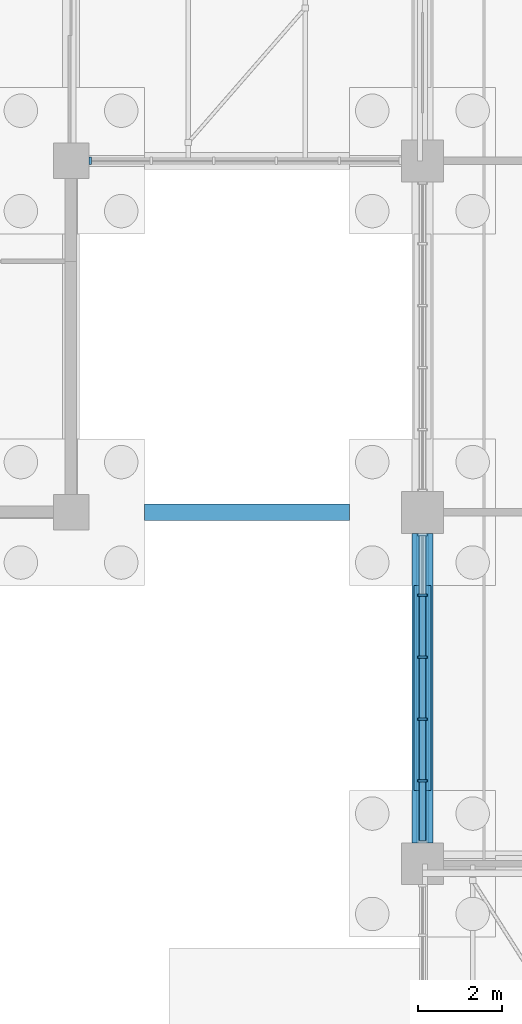
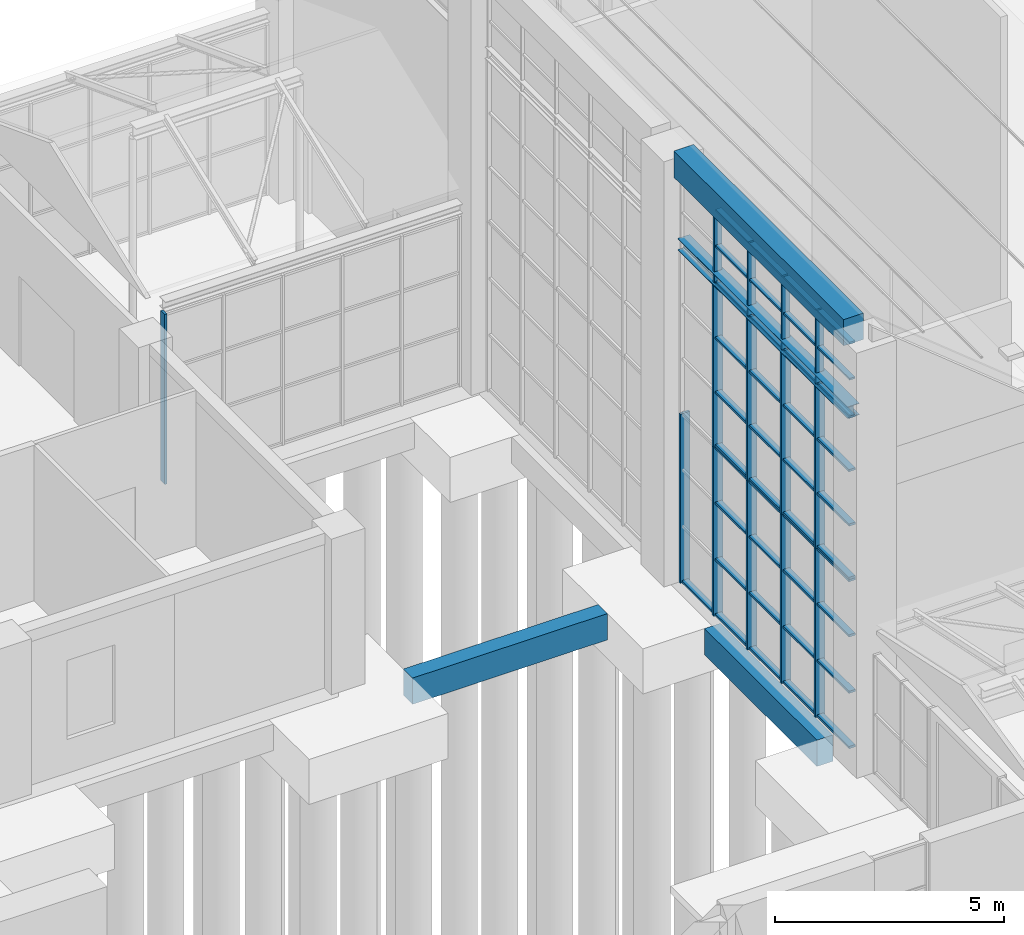
# One storey, part 49 of 138: 59 members, 4 beams, 4 elements without a shape of their own.
"""IFC4 building model written with IfcOpenShell, lengths in metres."""

import ifcopenshell
import ifcopenshell.guid

model = None  # the IFC model being written
_history = None  # IfcOwnerHistory: only IFC2X3 demands one
_inside = {}  # id of a spatial element -> (the spatial element, [elements in it])
_under = {}  # id of a project, library or spatial element -> (it, [spatial elements below it])
_declared = {}  # id of a project -> (the project, [libraries it declares])
_typed = {}  # id of a type object -> (the type object, [elements of that type])
_made_of = {}  # id of a material, layer set ... -> (it, [elements and type objects made of it])


def new_model(schema):
    """Start an empty IFC model of exactly this schema.

    Asked for "IFC4X3", IfcOpenShell would pick the latest addendum, in which some entities
    have other attributes; the version numbers below select the first issue.
    IFC2X3 requires an IfcOwnerHistory on every rooted entity: one is made here for all.
    """
    global model, _history
    if schema == "IFC4X3":
        model = ifcopenshell.file(schema_version=(4, 3, 0, 0))
    else:
        model = ifcopenshell.file(schema=schema)
    _inside.clear()
    _under.clear()
    _declared.clear()
    _typed.clear()
    _made_of.clear()
    _history = None
    if model.schema == "IFC2X3":
        org = make("IfcOrganization", Name="unknown")
        user = make(
            "IfcPersonAndOrganization",
            ThePerson=make("IfcPerson", FamilyName="unknown"),
            TheOrganization=org,
        )
        app = make(
            "IfcApplication",
            ApplicationDeveloper=org,
            Version="unknown",
            ApplicationFullName="unknown",
            ApplicationIdentifier="unknown",
        )
        _history = make(
            "IfcOwnerHistory",
            OwningUser=user,
            OwningApplication=app,
            ChangeAction="ADDED",
            CreationDate=0,
        )
    return model


def make(cls, **values):
    """One entity of the class cls with the attributes given. An attribute that is None is left unset."""
    return model.create_entity(
        cls, **{name: value for name, value in values.items() if value is not None}
    )


def rooted(cls, **values):
    """An entity with a GlobalId (a new one), such as an element, a storey or a relation."""
    return make(cls, GlobalId=ifcopenshell.guid.new(), OwnerHistory=_history, **values)


def si_unit(unit_type, name, prefix=None):
    """IfcSIUnit, for example si_unit("LENGTHUNIT", "METRE", prefix="MILLI")."""
    return make("IfcSIUnit", UnitType=unit_type, Prefix=prefix, Name=name)


def assignment(units):
    """IfcUnitAssignment: the units of a project."""
    return None if units is None else make("IfcUnitAssignment", Units=units)


def point(xyz):
    """IfcCartesianPoint."""
    return None if xyz is None else make("IfcCartesianPoint", Coordinates=xyz)


def direction(xyz):
    """IfcDirection."""
    return None if xyz is None else make("IfcDirection", DirectionRatios=xyz)


def frame(location, z_axis=None, x_axis=None):
    """IfcAxis2Placement3D, a coordinate frame: its origin and axes. An axis left out is left unset."""
    return make(
        "IfcAxis2Placement3D",
        Location=point(location),
        Axis=direction(z_axis),
        RefDirection=direction(x_axis),
    )


def frame_2d(location, x_axis=None):
    """IfcAxis2Placement2D, a coordinate frame in the plane: its origin and x axis."""
    return make(
        "IfcAxis2Placement2D", Location=point(location), RefDirection=direction(x_axis)
    )


def origin():
    """The frame at (0, 0, 0) with its axes left unset."""
    return frame((0.0, 0.0, 0.0))


def origin_2d():
    """The frame at (0, 0) in the plane with its x axis left unset."""
    return frame_2d((0.0, 0.0))


def place(relative_to, where):
    """IfcLocalPlacement: puts the frame where relative to a parent placement (None: the world)."""
    return make(
        "IfcLocalPlacement", PlacementRelTo=relative_to, RelativePlacement=where
    )


def context(
    kind, dimensions, precision=None, world=None, true_north=None, identifier=None
):
    """IfcGeometricRepresentationContext, for example the 3D "Model" context."""
    return make(
        "IfcGeometricRepresentationContext",
        ContextIdentifier=identifier,
        ContextType=kind,
        CoordinateSpaceDimension=dimensions,
        Precision=precision,
        WorldCoordinateSystem=world,
        TrueNorth=true_north,
    )


def subcontext(parent, identifier, kind, view, scale=None):
    """IfcGeometricRepresentationSubContext, for example "Body" below "Model"."""
    return make(
        "IfcGeometricRepresentationSubContext",
        ContextIdentifier=identifier,
        ContextType=kind,
        ParentContext=parent,
        TargetScale=scale,
        TargetView=view,
    )


def project(units=None, contexts=None):
    """IfcProject with its units and contexts."""
    return rooted(
        "IfcProject",
        Name="project",
        RepresentationContexts=contexts,
        UnitsInContext=assignment(units),
    )


def spatial(cls, under=None, at=None, **own):
    """A site, building, storey or space (cls), placed at a placement, below another one or the project."""
    s = rooted(cls, ObjectPlacement=at, **own)
    if under is not None:
        _under.setdefault(under.id(), (under, []))[1].append(s)
    return s


def profile(cls, at=None, kind="AREA", **sizes):
    """A parametric profile (cls). Its sizes go by their IFC names, for example OverallWidth=200.0."""
    return make(cls, ProfileType=kind, Position=at, **sizes)


def rectangle(**sizes):
    """IfcRectangleProfileDef."""
    return profile("IfcRectangleProfileDef", **sizes)


def i_section(**sizes):
    """IfcIShapeProfileDef."""
    return profile("IfcIShapeProfileDef", **sizes)


def extrude(swept, where, along, depth):
    """IfcExtrudedAreaSolid: the profile swept, set in the frame where, extruded along a direction by depth."""
    return make(
        "IfcExtrudedAreaSolid",
        SweptArea=swept,
        Position=where,
        ExtrudedDirection=direction(along),
        Depth=depth,
    )


def shape(context_of_items, identifier, shape_type, items):
    """IfcShapeRepresentation: the items that make up one representation, for example the "Body"."""
    return make(
        "IfcShapeRepresentation",
        ContextOfItems=context_of_items,
        RepresentationIdentifier=identifier,
        RepresentationType=shape_type,
        Items=items,
    )


def material(Name=None, Category=None):
    """IfcMaterial."""
    return make("IfcMaterial", Name=Name, Category=Category)


def material_profile(
    of_material, cross_section, Name=None, Category=None, Priority=None
):
    """IfcMaterialProfile: a cross section and its material."""
    return make(
        "IfcMaterialProfile",
        Name=Name,
        Material=of_material,
        Profile=cross_section,
        Priority=Priority,
        Category=Category,
    )


def profile_set(profiles, Name=None, composite=None):
    """IfcMaterialProfileSet."""
    return make(
        "IfcMaterialProfileSet",
        Name=Name,
        MaterialProfiles=profiles,
        CompositeProfile=composite,
    )


def made_of(thing, what):
    """Note that an element or type object is made of a material, layer set ...; save() writes the relation."""
    if what is not None:
        _made_of.setdefault(what.id(), (what, []))[1].append(thing)
    return thing


def type_object(cls, material=None, **own):
    """A type object (cls), such as IfcWallType, which elements share."""
    return made_of(rooted(cls, **own), material)


def element(
    cls,
    number,
    at=None,
    inside=None,
    cuts=None,
    type_object=None,
    material=None,
    context=None,
    identifier="Body",
    shape_type=None,
    held_by="IfcProductDefinitionShape",
    body=None,
    shapes=None,
    **own,
):
    """One element of the class cls, such as IfcWall. Its Tag is "e" and its number.

    at: its placement. inside: the storey or other place that contains it. cuts: it is an
    opening in that element (IfcRelVoidsElement). A single representation is given by context,
    identifier, shape_type and body (its items); several are given by shapes. held_by: the class
    of the entity that holds the representations. save() writes the other relations.
    """
    e = rooted(cls, Tag="e%d" % number, ObjectPlacement=at, **own)
    if body is not None:
        shapes = [shape(context, identifier, shape_type, body)]
    if shapes is not None:
        e.Representation = make(held_by, Representations=shapes)
    if inside is not None:
        _inside.setdefault(inside.id(), (inside, []))[1].append(e)
    if cuts is not None:
        rooted(
            "IfcRelVoidsElement", RelatingBuildingElement=cuts, RelatedOpeningElement=e
        )
    if type_object is not None:
        _typed.setdefault(type_object.id(), (type_object, []))[1].append(e)
    return made_of(e, material)


def aggregate(whole, parts):
    """IfcRelAggregates: a whole, such as a stair, and the parts it consists of."""
    return rooted("IfcRelAggregates", RelatingObject=whole, RelatedObjects=parts)


def save(model, path):
    """Write the relations noted so far, then the file.

    IfcRelAggregates (storeys below a building ...), IfcRelContainedInSpatialStructure (elements
    in a storey), IfcRelDefinesByType, IfcRelAssociatesMaterial and IfcRelDeclares: one each for
    every whole, place, type object, material and project.
    """
    for whole, parts in _under.values():
        aggregate(whole, parts)
    for where, things in _inside.values():
        rooted(
            "IfcRelContainedInSpatialStructure",
            RelatedElements=things,
            RelatingStructure=where,
        )
    for kind, things in _typed.values():
        rooted("IfcRelDefinesByType", RelatedObjects=things, RelatingType=kind)
    for what, things in _made_of.values():
        rooted("IfcRelAssociatesMaterial", RelatedObjects=things, RelatingMaterial=what)
    for by, libraries in _declared.values():
        rooted("IfcRelDeclares", RelatingContext=by, RelatedDefinitions=libraries)
    model.write(path)


model = new_model("IFC4")

# Units and contexts
model_context = context("Model", 3, precision=1e-05, world=origin(), true_north=direction((0.0, 1.0)))
body_context = subcontext(model_context, "Body", "Model", "MODEL_VIEW")
ifc_project = project(units=[si_unit("LENGTHUNIT", "METRE"), si_unit("AREAUNIT", "SQUARE_METRE"), si_unit("VOLUMEUNIT", "CUBIC_METRE"), si_unit("PLANEANGLEUNIT", "RADIAN"), si_unit("MASSUNIT", "GRAM", prefix="KILO")], contexts=[model_context])

# Site, building, storey
site_placement = place(None, origin())
site = spatial("IfcSite", under=ifc_project, at=site_placement, CompositionType="ELEMENT")
building_placement = place(site_placement, origin())
building = spatial("IfcBuilding", under=site, at=building_placement, Name="Yavir Park General Hospital", CompositionType="ELEMENT")
storey_placement = place(building_placement, origin())
storey = spatial("IfcBuildingStorey", under=building, at=storey_placement, Name="L00", CompositionType="ELEMENT", Elevation=0.0)

# Curtain wall, member
ifc_material_1 = material(Name="Aluminium curtain wall frame with insulated glazing", Category="aluminium")
curtain_wall_type_1 = type_object("IfcCurtainWallType", Name="Glazed link walls, 4525 high, 1400 module", PredefinedType="NOTDEFINED", material=ifc_material_1)
curtain_wall_1_placement = place(storey_placement, origin())
curtain_wall_1 = element("IfcCurtainWall", 1, at=curtain_wall_1_placement, inside=storey, type_object=curtain_wall_type_1, Name="CW38 L00-017", PredefinedType="NOTDEFINED")
ifc_material_2 = material(Name="Aluminium", Category="aluminium")
ifc_material_profile_1 = material_profile(ifc_material_2, rectangle(XDim=0.179931640625, YDim=0.06005859375, at=origin_2d()), Name="AL 60x180")
ifc_profile_set_1 = profile_set([ifc_material_profile_1], Name="Aluminium")
member_type_1 = type_object("IfcMemberType", Name="Glazed link walls, 4525 high mullion 60 x 180", PredefinedType="MULLION", material=ifc_profile_set_1)
member_1_placement = place(storey_placement, frame((67.655029296875, 58.800048828125, 0.0), z_axis=(0.0, 0.0, 1.0), x_axis=(0.0, 1.0, 0.0)))
member_1 = element("IfcMember", 2, at=member_1_placement, type_object=member_type_1, Name="CW38 mullion 1", PredefinedType="MULLION", context=body_context, shape_type="SweptSolid", body=[
    extrude(rectangle(XDim=0.179931640625, YDim=0.06005859375, at=origin_2d()), origin(), (0.0, 0.0, 1.0), 4.52490234375),
])
aggregate(curtain_wall_1, [member_1])

# Beam
ifc_material_3 = material(Name="Steel S355", Category="steel")
ifc_material_profile_2 = material_profile(ifc_material_3, i_section(OverallWidth=0.300048828125, OverallDepth=0.31005859375, WebThickness=0.009033203125, FlangeThickness=0.015380859375, FilletRadius=0.027099609375, at=origin_2d()), Name="HEA320")
ifc_profile_set_2 = profile_set([ifc_material_profile_2], Name="Steel S355")
beam_type_1 = type_object("IfcBeamType", Name="HEA 320 wind girder", PredefinedType="BEAM", material=ifc_profile_set_2)
beam_1_placement = place(storey_placement, frame((75.60009765625, 42.5, 9.0), z_axis=(0.0, 1.0, 0.0), x_axis=(-1.0, 0.0, 0.0)))
element("IfcBeam", 3, at=beam_1_placement, inside=storey, type_object=beam_type_1, Name="B:HALL:WIND:W0", PredefinedType="BEAM", context=body_context, shape_type="SweptSolid", body=[
    extrude(i_section(OverallWidth=0.300048828125, OverallDepth=0.31005859375, WebThickness=0.009033203125, FlangeThickness=0.015380859375, FilletRadius=0.027099609375, at=origin_2d()), origin(), (0.0, 0.0, 1.0), 7.39990234375),
])

# Curtain wall, members
ifc_material_4 = material(Name="Aluminium curtain wall frame with insulated glazing", Category="aluminium")
curtain_wall_type_2 = type_object("IfcCurtainWallType", Name="Main hall glazing, clerestory band, 1970 high, 1400 module", PredefinedType="NOTDEFINED", material=ifc_material_4)
curtain_wall_2_placement = place(storey_placement, origin())
curtain_wall_2 = element("IfcCurtainWall", 4, at=curtain_wall_2_placement, inside=storey, type_object=curtain_wall_type_2, Name="CW35 L00-052", PredefinedType="NOTDEFINED")
ifc_material_5 = material(Name="Aluminium", Category="aluminium")
ifc_material_profile_3 = material_profile(ifc_material_5, rectangle(XDim=0.199951171875, YDim=0.050048828125, at=origin_2d()), Name="AL 50x200")
ifc_profile_set_3 = profile_set([ifc_material_profile_3], Name="Aluminium")
member_type_2 = type_object("IfcMemberType", Name="Main hall glazing, clerestory band, 1970 high mullion 50 x 200", PredefinedType="MULLION", material=ifc_profile_set_3)
member_2_placement = place(storey_placement, frame((75.60009765625, 43.97998046875, 8.844970703125), z_axis=(0.0, 0.0, 1.0), x_axis=(-1.0, 0.0, 0.0)))
member_2 = element("IfcMember", 5, at=member_2_placement, type_object=member_type_2, Name="CW35 mullion 2", PredefinedType="MULLION", context=body_context, shape_type="SweptSolid", body=[
    extrude(rectangle(XDim=0.199951171875, YDim=0.050048828125, at=origin_2d()), origin(), (0.0, 0.0, 1.0), 1.969970703125),
])
member_3_placement = place(storey_placement, frame((75.60009765625, 45.4599609375, 8.844970703125), z_axis=(0.0, 0.0, 1.0), x_axis=(-1.0, 0.0, 0.0)))
member_3 = element("IfcMember", 6, at=member_3_placement, type_object=member_type_2, Name="CW35 mullion 3", PredefinedType="MULLION", context=body_context, shape_type="SweptSolid", body=[
    extrude(rectangle(XDim=0.199951171875, YDim=0.050048828125, at=origin_2d()), origin(), (0.0, 0.0, 1.0), 1.969970703125),
])
member_4_placement = place(storey_placement, frame((75.60009765625, 46.93994140625, 8.844970703125), z_axis=(0.0, 0.0, 1.0), x_axis=(-1.0, 0.0, 0.0)))
member_4 = element("IfcMember", 7, at=member_4_placement, type_object=member_type_2, Name="CW35 mullion 4", PredefinedType="MULLION", context=body_context, shape_type="SweptSolid", body=[
    extrude(rectangle(XDim=0.199951171875, YDim=0.050048828125, at=origin_2d()), origin(), (0.0, 0.0, 1.0), 1.969970703125),
])
member_5_placement = place(storey_placement, frame((75.60009765625, 48.419921875, 8.844970703125), z_axis=(0.0, 0.0, 1.0), x_axis=(-1.0, 0.0, 0.0)))
member_5 = element("IfcMember", 8, at=member_5_placement, type_object=member_type_2, Name="CW35 mullion 5", PredefinedType="MULLION", context=body_context, shape_type="SweptSolid", body=[
    extrude(rectangle(XDim=0.199951171875, YDim=0.050048828125, at=origin_2d()), origin(), (0.0, 0.0, 1.0), 1.969970703125),
])
ifc_material_6 = material(Name="Aluminium", Category="aluminium")
ifc_material_profile_4 = material_profile(ifc_material_6, rectangle(XDim=0.139892578125, YDim=0.050048828125, at=origin_2d()), Name="AL 140x50")
ifc_profile_set_4 = profile_set([ifc_material_profile_4], Name="Aluminium")
member_type_3 = type_object("IfcMemberType", Name="Main hall glazing, clerestory band, 1970 high transom 50 x 140", PredefinedType="MULLION", material=ifc_profile_set_4)
member_6_placement = place(storey_placement, frame((75.60009765625, 42.550048828125, 8.8701171875), z_axis=(0.0, 1.0, 0.0), x_axis=(-1.0, 0.0, 0.0)))
member_6 = element("IfcMember", 9, at=member_6_placement, type_object=member_type_3, Name="CW35 transom 1.1", PredefinedType="MULLION", context=body_context, shape_type="SweptSolid", body=[
    extrude(rectangle(XDim=0.139892578125, YDim=0.050048828125, at=origin_2d()), origin(), (0.0, 0.0, 1.0), 1.405029296875),
])
member_7_placement = place(storey_placement, frame((75.60009765625, 42.550048828125, 9.830078125), z_axis=(0.0, 1.0, 0.0), x_axis=(-1.0, 0.0, 0.0)))
member_7 = element("IfcMember", 10, at=member_7_placement, type_object=member_type_3, Name="CW35 transom 1.2", PredefinedType="MULLION", context=body_context, shape_type="SweptSolid", body=[
    extrude(rectangle(XDim=0.139892578125, YDim=0.050048828125, at=origin_2d()), origin(), (0.0, 0.0, 1.0), 1.405029296875),
])
member_8_placement = place(storey_placement, frame((75.60009765625, 42.550048828125, 10.7900390625), z_axis=(0.0, 1.0, 0.0), x_axis=(-1.0, 0.0, 0.0)))
member_8 = element("IfcMember", 11, at=member_8_placement, type_object=member_type_3, Name="CW35 transom 1.3", PredefinedType="MULLION", context=body_context, shape_type="SweptSolid", body=[
    extrude(rectangle(XDim=0.139892578125, YDim=0.050048828125, at=origin_2d()), origin(), (0.0, 0.0, 1.0), 1.405029296875),
])
member_9_placement = place(storey_placement, frame((75.60009765625, 44.0048828125, 8.8701171875), z_axis=(0.0, 1.0, 0.0), x_axis=(-1.0, 0.0, 0.0)))
member_9 = element("IfcMember", 12, at=member_9_placement, type_object=member_type_3, Name="CW35 transom 2.1", PredefinedType="MULLION", context=body_context, shape_type="SweptSolid", body=[
    extrude(rectangle(XDim=0.139892578125, YDim=0.050048828125, at=origin_2d()), origin(), (0.0, 0.0, 1.0), 1.43017578125),
])
member_10_placement = place(storey_placement, frame((75.60009765625, 44.0048828125, 9.830078125), z_axis=(0.0, 1.0, 0.0), x_axis=(-1.0, 0.0, 0.0)))
member_10 = element("IfcMember", 13, at=member_10_placement, type_object=member_type_3, Name="CW35 transom 2.2", PredefinedType="MULLION", context=body_context, shape_type="SweptSolid", body=[
    extrude(rectangle(XDim=0.139892578125, YDim=0.050048828125, at=origin_2d()), origin(), (0.0, 0.0, 1.0), 1.43017578125),
])
member_11_placement = place(storey_placement, frame((75.60009765625, 44.0048828125, 10.7900390625), z_axis=(0.0, 1.0, 0.0), x_axis=(-1.0, 0.0, 0.0)))
member_11 = element("IfcMember", 14, at=member_11_placement, type_object=member_type_3, Name="CW35 transom 2.3", PredefinedType="MULLION", context=body_context, shape_type="SweptSolid", body=[
    extrude(rectangle(XDim=0.139892578125, YDim=0.050048828125, at=origin_2d()), origin(), (0.0, 0.0, 1.0), 1.43017578125),
])
member_12_placement = place(storey_placement, frame((75.60009765625, 45.485107421875, 8.8701171875), z_axis=(0.0, 1.0, 0.0), x_axis=(-1.0, 0.0, 0.0)))
member_12 = element("IfcMember", 15, at=member_12_placement, type_object=member_type_3, Name="CW35 transom 3.1", PredefinedType="MULLION", context=body_context, shape_type="SweptSolid", body=[
    extrude(rectangle(XDim=0.139892578125, YDim=0.050048828125, at=origin_2d()), origin(), (0.0, 0.0, 1.0), 1.429931640625),
])
member_13_placement = place(storey_placement, frame((75.60009765625, 45.485107421875, 9.830078125), z_axis=(0.0, 1.0, 0.0), x_axis=(-1.0, 0.0, 0.0)))
member_13 = element("IfcMember", 16, at=member_13_placement, type_object=member_type_3, Name="CW35 transom 3.2", PredefinedType="MULLION", context=body_context, shape_type="SweptSolid", body=[
    extrude(rectangle(XDim=0.139892578125, YDim=0.050048828125, at=origin_2d()), origin(), (0.0, 0.0, 1.0), 1.429931640625),
])
member_14_placement = place(storey_placement, frame((75.60009765625, 45.485107421875, 10.7900390625), z_axis=(0.0, 1.0, 0.0), x_axis=(-1.0, 0.0, 0.0)))
member_14 = element("IfcMember", 17, at=member_14_placement, type_object=member_type_3, Name="CW35 transom 3.3", PredefinedType="MULLION", context=body_context, shape_type="SweptSolid", body=[
    extrude(rectangle(XDim=0.139892578125, YDim=0.050048828125, at=origin_2d()), origin(), (0.0, 0.0, 1.0), 1.429931640625),
])
member_15_placement = place(storey_placement, frame((75.60009765625, 46.965087890625, 8.8701171875), z_axis=(0.0, 1.0, 0.0), x_axis=(-1.0, 0.0, 0.0)))
member_15 = element("IfcMember", 18, at=member_15_placement, type_object=member_type_3, Name="CW35 transom 4.1", PredefinedType="MULLION", context=body_context, shape_type="SweptSolid", body=[
    extrude(rectangle(XDim=0.139892578125, YDim=0.050048828125, at=origin_2d()), origin(), (0.0, 0.0, 1.0), 1.429931640625),
])
member_16_placement = place(storey_placement, frame((75.60009765625, 46.965087890625, 9.830078125), z_axis=(0.0, 1.0, 0.0), x_axis=(-1.0, 0.0, 0.0)))
member_16 = element("IfcMember", 19, at=member_16_placement, type_object=member_type_3, Name="CW35 transom 4.2", PredefinedType="MULLION", context=body_context, shape_type="SweptSolid", body=[
    extrude(rectangle(XDim=0.139892578125, YDim=0.050048828125, at=origin_2d()), origin(), (0.0, 0.0, 1.0), 1.429931640625),
])
member_17_placement = place(storey_placement, frame((75.60009765625, 46.965087890625, 10.7900390625), z_axis=(0.0, 1.0, 0.0), x_axis=(-1.0, 0.0, 0.0)))
member_17 = element("IfcMember", 20, at=member_17_placement, type_object=member_type_3, Name="CW35 transom 4.3", PredefinedType="MULLION", context=body_context, shape_type="SweptSolid", body=[
    extrude(rectangle(XDim=0.139892578125, YDim=0.050048828125, at=origin_2d()), origin(), (0.0, 0.0, 1.0), 1.429931640625),
])
aggregate(curtain_wall_2, [member_2, member_3, member_4, member_5, member_6, member_7, member_8, member_9, member_10, member_11, member_12, member_13, member_14, member_15, member_16, member_17])

ifc_material_7 = material(Name="Aluminium curtain wall frame with insulated glazing", Category="aluminium")
curtain_wall_type_3 = type_object("IfcCurtainWallType", Name="Main hall glazing, lower band, 4500 high, 1400 module", PredefinedType="NOTDEFINED", material=ifc_material_7)
curtain_wall_3_placement = place(storey_placement, origin())
curtain_wall_3 = element("IfcCurtainWall", 21, at=curtain_wall_3_placement, inside=storey, type_object=curtain_wall_type_3, Name="CW33 L00-050", PredefinedType="NOTDEFINED")
ifc_material_8 = material(Name="Aluminium", Category="aluminium")
ifc_material_profile_5 = material_profile(ifc_material_8, rectangle(XDim=0.239990234375, YDim=0.06005859375, at=origin_2d()), Name="AL 60x240")
ifc_profile_set_5 = profile_set([ifc_material_profile_5], Name="Aluminium")
member_type_4 = type_object("IfcMemberType", Name="Main hall glazing, lower band, 4500 high mullion 60 x 240", PredefinedType="MULLION", material=ifc_profile_set_5)
member_18_placement = place(storey_placement, frame((75.60009765625, 43.97998046875, 0.0), z_axis=(0.0, 0.0, 1.0), x_axis=(-1.0, 0.0, 0.0)))
member_18 = element("IfcMember", 22, at=member_18_placement, type_object=member_type_4, Name="CW33 mullion 2", PredefinedType="MULLION", context=body_context, shape_type="SweptSolid", body=[
    extrude(rectangle(XDim=0.239990234375, YDim=0.06005859375, at=origin_2d()), origin(), (0.0, 0.0, 1.0), 4.5),
])
member_19_placement = place(storey_placement, frame((75.60009765625, 45.4599609375, 0.0), z_axis=(0.0, 0.0, 1.0), x_axis=(-1.0, 0.0, 0.0)))
member_19 = element("IfcMember", 23, at=member_19_placement, type_object=member_type_4, Name="CW33 mullion 3", PredefinedType="MULLION", context=body_context, shape_type="SweptSolid", body=[
    extrude(rectangle(XDim=0.239990234375, YDim=0.06005859375, at=origin_2d()), origin(), (0.0, 0.0, 1.0), 4.5),
])
member_20_placement = place(storey_placement, frame((75.60009765625, 46.93994140625, 0.0), z_axis=(0.0, 0.0, 1.0), x_axis=(-1.0, 0.0, 0.0)))
member_20 = element("IfcMember", 24, at=member_20_placement, type_object=member_type_4, Name="CW33 mullion 4", PredefinedType="MULLION", context=body_context, shape_type="SweptSolid", body=[
    extrude(rectangle(XDim=0.239990234375, YDim=0.06005859375, at=origin_2d()), origin(), (0.0, 0.0, 1.0), 4.5),
])
member_21_placement = place(storey_placement, frame((75.60009765625, 48.419921875, 0.0), z_axis=(0.0, 0.0, 1.0), x_axis=(-1.0, 0.0, 0.0)))
member_21 = element("IfcMember", 25, at=member_21_placement, type_object=member_type_4, Name="CW33 mullion 5", PredefinedType="MULLION", context=body_context, shape_type="SweptSolid", body=[
    extrude(rectangle(XDim=0.239990234375, YDim=0.06005859375, at=origin_2d()), origin(), (0.0, 0.0, 1.0), 4.5),
])
member_22_placement = place(storey_placement, frame((75.60009765625, 49.8701171875, 0.0), z_axis=(0.0, 0.0, 1.0), x_axis=(-1.0, 0.0, 0.0)))
member_22 = element("IfcMember", 26, at=member_22_placement, type_object=member_type_4, Name="CW33 mullion 6", PredefinedType="MULLION", context=body_context, shape_type="SweptSolid", body=[
    extrude(rectangle(XDim=0.239990234375, YDim=0.06005859375, at=origin_2d()), origin(), (0.0, 0.0, 1.0), 4.5),
])
ifc_material_9 = material(Name="Aluminium", Category="aluminium")
ifc_material_profile_6 = material_profile(ifc_material_9, rectangle(XDim=0.159912109375, YDim=0.06005859375, at=origin_2d()), Name="AL 160x60")
ifc_profile_set_6 = profile_set([ifc_material_profile_6], Name="Aluminium")
member_type_5 = type_object("IfcMemberType", Name="Main hall glazing, lower band, 4500 high transom 60 x 160", PredefinedType="MULLION", material=ifc_profile_set_6)
member_23_placement = place(storey_placement, frame((75.60009765625, 42.56005859375, 0.030029296875), z_axis=(0.0, 1.0, 0.0), x_axis=(-1.0, 0.0, 0.0)))
member_23 = element("IfcMember", 27, at=member_23_placement, type_object=member_type_5, Name="CW33 transom 1.1", PredefinedType="MULLION", context=body_context, shape_type="SweptSolid", body=[
    extrude(rectangle(XDim=0.159912109375, YDim=0.06005859375, at=origin_2d()), origin(), (0.0, 0.0, 1.0), 1.389892578125),
])
member_24_placement = place(storey_placement, frame((75.60009765625, 42.56005859375, 1.5), z_axis=(0.0, 1.0, 0.0), x_axis=(-1.0, 0.0, 0.0)))
member_24 = element("IfcMember", 28, at=member_24_placement, type_object=member_type_5, Name="CW33 transom 1.2", PredefinedType="MULLION", context=body_context, shape_type="SweptSolid", body=[
    extrude(rectangle(XDim=0.159912109375, YDim=0.06005859375, at=origin_2d()), origin(), (0.0, 0.0, 1.0), 1.389892578125),
])
member_25_placement = place(storey_placement, frame((75.60009765625, 42.56005859375, 3.0), z_axis=(0.0, 1.0, 0.0), x_axis=(-1.0, 0.0, 0.0)))
member_25 = element("IfcMember", 29, at=member_25_placement, type_object=member_type_5, Name="CW33 transom 1.3", PredefinedType="MULLION", context=body_context, shape_type="SweptSolid", body=[
    extrude(rectangle(XDim=0.159912109375, YDim=0.06005859375, at=origin_2d()), origin(), (0.0, 0.0, 1.0), 1.389892578125),
])
member_26_placement = place(storey_placement, frame((75.60009765625, 42.56005859375, 4.469970703125), z_axis=(0.0, 1.0, 0.0), x_axis=(-1.0, 0.0, 0.0)))
member_26 = element("IfcMember", 30, at=member_26_placement, type_object=member_type_5, Name="CW33 transom 1.4", PredefinedType="MULLION", context=body_context, shape_type="SweptSolid", body=[
    extrude(rectangle(XDim=0.159912109375, YDim=0.06005859375, at=origin_2d()), origin(), (0.0, 0.0, 1.0), 1.389892578125),
])
member_27_placement = place(storey_placement, frame((75.60009765625, 44.010009765625, 0.030029296875), z_axis=(0.0, 1.0, 0.0), x_axis=(-1.0, 0.0, 0.0)))
member_27 = element("IfcMember", 31, at=member_27_placement, type_object=member_type_5, Name="CW33 transom 2.1", PredefinedType="MULLION", context=body_context, shape_type="SweptSolid", body=[
    extrude(rectangle(XDim=0.159912109375, YDim=0.06005859375, at=origin_2d()), origin(), (0.0, 0.0, 1.0), 1.419921875),
])
member_28_placement = place(storey_placement, frame((75.60009765625, 44.010009765625, 1.5), z_axis=(0.0, 1.0, 0.0), x_axis=(-1.0, 0.0, 0.0)))
member_28 = element("IfcMember", 32, at=member_28_placement, type_object=member_type_5, Name="CW33 transom 2.2", PredefinedType="MULLION", context=body_context, shape_type="SweptSolid", body=[
    extrude(rectangle(XDim=0.159912109375, YDim=0.06005859375, at=origin_2d()), origin(), (0.0, 0.0, 1.0), 1.419921875),
])
member_29_placement = place(storey_placement, frame((75.60009765625, 44.010009765625, 3.0), z_axis=(0.0, 1.0, 0.0), x_axis=(-1.0, 0.0, 0.0)))
member_29 = element("IfcMember", 33, at=member_29_placement, type_object=member_type_5, Name="CW33 transom 2.3", PredefinedType="MULLION", context=body_context, shape_type="SweptSolid", body=[
    extrude(rectangle(XDim=0.159912109375, YDim=0.06005859375, at=origin_2d()), origin(), (0.0, 0.0, 1.0), 1.419921875),
])
member_30_placement = place(storey_placement, frame((75.60009765625, 44.010009765625, 4.469970703125), z_axis=(0.0, 1.0, 0.0), x_axis=(-1.0, 0.0, 0.0)))
member_30 = element("IfcMember", 34, at=member_30_placement, type_object=member_type_5, Name="CW33 transom 2.4", PredefinedType="MULLION", context=body_context, shape_type="SweptSolid", body=[
    extrude(rectangle(XDim=0.159912109375, YDim=0.06005859375, at=origin_2d()), origin(), (0.0, 0.0, 1.0), 1.419921875),
])
member_31_placement = place(storey_placement, frame((75.60009765625, 45.489990234375, 0.030029296875), z_axis=(0.0, 1.0, 0.0), x_axis=(-1.0, 0.0, 0.0)))
member_31 = element("IfcMember", 35, at=member_31_placement, type_object=member_type_5, Name="CW33 transom 3.1", PredefinedType="MULLION", context=body_context, shape_type="SweptSolid", body=[
    extrude(rectangle(XDim=0.159912109375, YDim=0.06005859375, at=origin_2d()), origin(), (0.0, 0.0, 1.0), 1.419921875),
])
member_32_placement = place(storey_placement, frame((75.60009765625, 45.489990234375, 1.5), z_axis=(0.0, 1.0, 0.0), x_axis=(-1.0, 0.0, 0.0)))
member_32 = element("IfcMember", 36, at=member_32_placement, type_object=member_type_5, Name="CW33 transom 3.2", PredefinedType="MULLION", context=body_context, shape_type="SweptSolid", body=[
    extrude(rectangle(XDim=0.159912109375, YDim=0.06005859375, at=origin_2d()), origin(), (0.0, 0.0, 1.0), 1.419921875),
])
member_33_placement = place(storey_placement, frame((75.60009765625, 45.489990234375, 3.0), z_axis=(0.0, 1.0, 0.0), x_axis=(-1.0, 0.0, 0.0)))
member_33 = element("IfcMember", 37, at=member_33_placement, type_object=member_type_5, Name="CW33 transom 3.3", PredefinedType="MULLION", context=body_context, shape_type="SweptSolid", body=[
    extrude(rectangle(XDim=0.159912109375, YDim=0.06005859375, at=origin_2d()), origin(), (0.0, 0.0, 1.0), 1.419921875),
])
member_34_placement = place(storey_placement, frame((75.60009765625, 45.489990234375, 4.469970703125), z_axis=(0.0, 1.0, 0.0), x_axis=(-1.0, 0.0, 0.0)))
member_34 = element("IfcMember", 38, at=member_34_placement, type_object=member_type_5, Name="CW33 transom 3.4", PredefinedType="MULLION", context=body_context, shape_type="SweptSolid", body=[
    extrude(rectangle(XDim=0.159912109375, YDim=0.06005859375, at=origin_2d()), origin(), (0.0, 0.0, 1.0), 1.419921875),
])
member_35_placement = place(storey_placement, frame((75.60009765625, 46.969970703125, 0.030029296875), z_axis=(0.0, 1.0, 0.0), x_axis=(-1.0, 0.0, 0.0)))
member_35 = element("IfcMember", 39, at=member_35_placement, type_object=member_type_5, Name="CW33 transom 4.1", PredefinedType="MULLION", context=body_context, shape_type="SweptSolid", body=[
    extrude(rectangle(XDim=0.159912109375, YDim=0.06005859375, at=origin_2d()), origin(), (0.0, 0.0, 1.0), 1.419921875),
])
member_36_placement = place(storey_placement, frame((75.60009765625, 46.969970703125, 1.5), z_axis=(0.0, 1.0, 0.0), x_axis=(-1.0, 0.0, 0.0)))
member_36 = element("IfcMember", 40, at=member_36_placement, type_object=member_type_5, Name="CW33 transom 4.2", PredefinedType="MULLION", context=body_context, shape_type="SweptSolid", body=[
    extrude(rectangle(XDim=0.159912109375, YDim=0.06005859375, at=origin_2d()), origin(), (0.0, 0.0, 1.0), 1.419921875),
])
member_37_placement = place(storey_placement, frame((75.60009765625, 46.969970703125, 3.0), z_axis=(0.0, 1.0, 0.0), x_axis=(-1.0, 0.0, 0.0)))
member_37 = element("IfcMember", 41, at=member_37_placement, type_object=member_type_5, Name="CW33 transom 4.3", PredefinedType="MULLION", context=body_context, shape_type="SweptSolid", body=[
    extrude(rectangle(XDim=0.159912109375, YDim=0.06005859375, at=origin_2d()), origin(), (0.0, 0.0, 1.0), 1.419921875),
])
member_38_placement = place(storey_placement, frame((75.60009765625, 46.969970703125, 4.469970703125), z_axis=(0.0, 1.0, 0.0), x_axis=(-1.0, 0.0, 0.0)))
member_38 = element("IfcMember", 42, at=member_38_placement, type_object=member_type_5, Name="CW33 transom 4.4", PredefinedType="MULLION", context=body_context, shape_type="SweptSolid", body=[
    extrude(rectangle(XDim=0.159912109375, YDim=0.06005859375, at=origin_2d()), origin(), (0.0, 0.0, 1.0), 1.419921875),
])
member_39_placement = place(storey_placement, frame((75.60009765625, 48.449951171875, 0.030029296875), z_axis=(0.0, 1.0, 0.0), x_axis=(-1.0, 0.0, 0.0)))
member_39 = element("IfcMember", 43, at=member_39_placement, type_object=member_type_5, Name="CW33 transom 5.1", PredefinedType="MULLION", context=body_context, shape_type="SweptSolid", body=[
    extrude(rectangle(XDim=0.159912109375, YDim=0.06005859375, at=origin_2d()), origin(), (0.0, 0.0, 1.0), 1.39013671875),
])
aggregate(curtain_wall_3, [member_18, member_19, member_20, member_21, member_22, member_23, member_24, member_25, member_26, member_27, member_28, member_29, member_30, member_31, member_32, member_33, member_34, member_35, member_36, member_37, member_38, member_39])

ifc_material_10 = material(Name="Aluminium curtain wall frame with insulated glazing", Category="aluminium")
curtain_wall_type_4 = type_object("IfcCurtainWallType", Name="Main hall glazing, upper band, 4345 high, 1400 module", PredefinedType="NOTDEFINED", material=ifc_material_10)
curtain_wall_4_placement = place(storey_placement, origin())
curtain_wall_4 = element("IfcCurtainWall", 44, at=curtain_wall_4_placement, inside=storey, type_object=curtain_wall_type_4, Name="CW52 L00-051", PredefinedType="NOTDEFINED")
ifc_material_11 = material(Name="Aluminium", Category="aluminium")
ifc_material_profile_7 = material_profile(ifc_material_11, rectangle(XDim=0.239990234375, YDim=0.06005859375, at=origin_2d()), Name="AL 60x240")
ifc_profile_set_7 = profile_set([ifc_material_profile_7], Name="Aluminium")
member_type_6 = type_object("IfcMemberType", Name="Main hall glazing, upper band, 4345 high mullion 60 x 240", PredefinedType="MULLION", material=ifc_profile_set_7)
member_40_placement = place(storey_placement, frame((75.60009765625, 43.97998046875, 4.5), z_axis=(0.0, 0.0, 1.0), x_axis=(-1.0, 0.0, 0.0)))
member_40 = element("IfcMember", 45, at=member_40_placement, type_object=member_type_6, Name="CW52 mullion 2", PredefinedType="MULLION", context=body_context, shape_type="SweptSolid", body=[
    extrude(rectangle(XDim=0.239990234375, YDim=0.06005859375, at=origin_2d()), origin(), (0.0, 0.0, 1.0), 4.344970703125),
])
member_41_placement = place(storey_placement, frame((75.60009765625, 45.4599609375, 4.5), z_axis=(0.0, 0.0, 1.0), x_axis=(-1.0, 0.0, 0.0)))
member_41 = element("IfcMember", 46, at=member_41_placement, type_object=member_type_6, Name="CW52 mullion 3", PredefinedType="MULLION", context=body_context, shape_type="SweptSolid", body=[
    extrude(rectangle(XDim=0.239990234375, YDim=0.06005859375, at=origin_2d()), origin(), (0.0, 0.0, 1.0), 4.344970703125),
])
member_42_placement = place(storey_placement, frame((75.60009765625, 46.93994140625, 4.5), z_axis=(0.0, 0.0, 1.0), x_axis=(-1.0, 0.0, 0.0)))
member_42 = element("IfcMember", 47, at=member_42_placement, type_object=member_type_6, Name="CW52 mullion 4", PredefinedType="MULLION", context=body_context, shape_type="SweptSolid", body=[
    extrude(rectangle(XDim=0.239990234375, YDim=0.06005859375, at=origin_2d()), origin(), (0.0, 0.0, 1.0), 4.344970703125),
])
member_43_placement = place(storey_placement, frame((75.60009765625, 48.419921875, 4.5), z_axis=(0.0, 0.0, 1.0), x_axis=(-1.0, 0.0, 0.0)))
member_43 = element("IfcMember", 48, at=member_43_placement, type_object=member_type_6, Name="CW52 mullion 5", PredefinedType="MULLION", context=body_context, shape_type="SweptSolid", body=[
    extrude(rectangle(XDim=0.239990234375, YDim=0.06005859375, at=origin_2d()), origin(), (0.0, 0.0, 1.0), 4.344970703125),
])
ifc_material_12 = material(Name="Aluminium", Category="aluminium")
ifc_material_profile_8 = material_profile(ifc_material_12, rectangle(XDim=0.159912109375, YDim=0.06005859375, at=origin_2d()), Name="AL 160x60")
ifc_profile_set_8 = profile_set([ifc_material_profile_8], Name="Aluminium")
member_type_7 = type_object("IfcMemberType", Name="Main hall glazing, upper band, 4345 high transom 60 x 160", PredefinedType="MULLION", material=ifc_profile_set_8)
member_44_placement = place(storey_placement, frame((75.60009765625, 42.56005859375, 4.530029296875), z_axis=(0.0, 1.0, 0.0), x_axis=(-1.0, 0.0, 0.0)))
member_44 = element("IfcMember", 49, at=member_44_placement, type_object=member_type_7, Name="CW52 transom 1.1", PredefinedType="MULLION", context=body_context, shape_type="SweptSolid", body=[
    extrude(rectangle(XDim=0.159912109375, YDim=0.06005859375, at=origin_2d()), origin(), (0.0, 0.0, 1.0), 1.389892578125),
])
member_45_placement = place(storey_placement, frame((75.60009765625, 42.56005859375, 5.9482421875), z_axis=(0.0, 1.0, 0.0), x_axis=(-1.0, 0.0, 0.0)))
member_45 = element("IfcMember", 50, at=member_45_placement, type_object=member_type_7, Name="CW52 transom 1.2", PredefinedType="MULLION", context=body_context, shape_type="SweptSolid", body=[
    extrude(rectangle(XDim=0.159912109375, YDim=0.06005859375, at=origin_2d()), origin(), (0.0, 0.0, 1.0), 1.389892578125),
])
member_46_placement = place(storey_placement, frame((75.60009765625, 42.56005859375, 7.396728515625), z_axis=(0.0, 1.0, 0.0), x_axis=(-1.0, 0.0, 0.0)))
member_46 = element("IfcMember", 51, at=member_46_placement, type_object=member_type_7, Name="CW52 transom 1.3", PredefinedType="MULLION", context=body_context, shape_type="SweptSolid", body=[
    extrude(rectangle(XDim=0.159912109375, YDim=0.06005859375, at=origin_2d()), origin(), (0.0, 0.0, 1.0), 1.389892578125),
])
member_47_placement = place(storey_placement, frame((75.60009765625, 42.56005859375, 8.81494140625), z_axis=(0.0, 1.0, 0.0), x_axis=(-1.0, 0.0, 0.0)))
member_47 = element("IfcMember", 52, at=member_47_placement, type_object=member_type_7, Name="CW52 transom 1.4", PredefinedType="MULLION", context=body_context, shape_type="SweptSolid", body=[
    extrude(rectangle(XDim=0.159912109375, YDim=0.06005859375, at=origin_2d()), origin(), (0.0, 0.0, 1.0), 1.389892578125),
])
member_48_placement = place(storey_placement, frame((75.60009765625, 44.010009765625, 4.530029296875), z_axis=(0.0, 1.0, 0.0), x_axis=(-1.0, 0.0, 0.0)))
member_48 = element("IfcMember", 53, at=member_48_placement, type_object=member_type_7, Name="CW52 transom 2.1", PredefinedType="MULLION", context=body_context, shape_type="SweptSolid", body=[
    extrude(rectangle(XDim=0.159912109375, YDim=0.06005859375, at=origin_2d()), origin(), (0.0, 0.0, 1.0), 1.419921875),
])
member_49_placement = place(storey_placement, frame((75.60009765625, 44.010009765625, 5.9482421875), z_axis=(0.0, 1.0, 0.0), x_axis=(-1.0, 0.0, 0.0)))
member_49 = element("IfcMember", 54, at=member_49_placement, type_object=member_type_7, Name="CW52 transom 2.2", PredefinedType="MULLION", context=body_context, shape_type="SweptSolid", body=[
    extrude(rectangle(XDim=0.159912109375, YDim=0.06005859375, at=origin_2d()), origin(), (0.0, 0.0, 1.0), 1.419921875),
])
member_50_placement = place(storey_placement, frame((75.60009765625, 44.010009765625, 7.396728515625), z_axis=(0.0, 1.0, 0.0), x_axis=(-1.0, 0.0, 0.0)))
member_50 = element("IfcMember", 55, at=member_50_placement, type_object=member_type_7, Name="CW52 transom 2.3", PredefinedType="MULLION", context=body_context, shape_type="SweptSolid", body=[
    extrude(rectangle(XDim=0.159912109375, YDim=0.06005859375, at=origin_2d()), origin(), (0.0, 0.0, 1.0), 1.419921875),
])
member_51_placement = place(storey_placement, frame((75.60009765625, 44.010009765625, 8.81494140625), z_axis=(0.0, 1.0, 0.0), x_axis=(-1.0, 0.0, 0.0)))
member_51 = element("IfcMember", 56, at=member_51_placement, type_object=member_type_7, Name="CW52 transom 2.4", PredefinedType="MULLION", context=body_context, shape_type="SweptSolid", body=[
    extrude(rectangle(XDim=0.159912109375, YDim=0.06005859375, at=origin_2d()), origin(), (0.0, 0.0, 1.0), 1.419921875),
])
member_52_placement = place(storey_placement, frame((75.60009765625, 45.489990234375, 4.530029296875), z_axis=(0.0, 1.0, 0.0), x_axis=(-1.0, 0.0, 0.0)))
member_52 = element("IfcMember", 57, at=member_52_placement, type_object=member_type_7, Name="CW52 transom 3.1", PredefinedType="MULLION", context=body_context, shape_type="SweptSolid", body=[
    extrude(rectangle(XDim=0.159912109375, YDim=0.06005859375, at=origin_2d()), origin(), (0.0, 0.0, 1.0), 1.419921875),
])
member_53_placement = place(storey_placement, frame((75.60009765625, 45.489990234375, 5.9482421875), z_axis=(0.0, 1.0, 0.0), x_axis=(-1.0, 0.0, 0.0)))
member_53 = element("IfcMember", 58, at=member_53_placement, type_object=member_type_7, Name="CW52 transom 3.2", PredefinedType="MULLION", context=body_context, shape_type="SweptSolid", body=[
    extrude(rectangle(XDim=0.159912109375, YDim=0.06005859375, at=origin_2d()), origin(), (0.0, 0.0, 1.0), 1.419921875),
])
member_54_placement = place(storey_placement, frame((75.60009765625, 45.489990234375, 7.396728515625), z_axis=(0.0, 1.0, 0.0), x_axis=(-1.0, 0.0, 0.0)))
member_54 = element("IfcMember", 59, at=member_54_placement, type_object=member_type_7, Name="CW52 transom 3.3", PredefinedType="MULLION", context=body_context, shape_type="SweptSolid", body=[
    extrude(rectangle(XDim=0.159912109375, YDim=0.06005859375, at=origin_2d()), origin(), (0.0, 0.0, 1.0), 1.419921875),
])
member_55_placement = place(storey_placement, frame((75.60009765625, 45.489990234375, 8.81494140625), z_axis=(0.0, 1.0, 0.0), x_axis=(-1.0, 0.0, 0.0)))
member_55 = element("IfcMember", 60, at=member_55_placement, type_object=member_type_7, Name="CW52 transom 3.4", PredefinedType="MULLION", context=body_context, shape_type="SweptSolid", body=[
    extrude(rectangle(XDim=0.159912109375, YDim=0.06005859375, at=origin_2d()), origin(), (0.0, 0.0, 1.0), 1.419921875),
])
member_56_placement = place(storey_placement, frame((75.60009765625, 46.969970703125, 4.530029296875), z_axis=(0.0, 1.0, 0.0), x_axis=(-1.0, 0.0, 0.0)))
member_56 = element("IfcMember", 61, at=member_56_placement, type_object=member_type_7, Name="CW52 transom 4.1", PredefinedType="MULLION", context=body_context, shape_type="SweptSolid", body=[
    extrude(rectangle(XDim=0.159912109375, YDim=0.06005859375, at=origin_2d()), origin(), (0.0, 0.0, 1.0), 1.419921875),
])
member_57_placement = place(storey_placement, frame((75.60009765625, 46.969970703125, 5.9482421875), z_axis=(0.0, 1.0, 0.0), x_axis=(-1.0, 0.0, 0.0)))
member_57 = element("IfcMember", 62, at=member_57_placement, type_object=member_type_7, Name="CW52 transom 4.2", PredefinedType="MULLION", context=body_context, shape_type="SweptSolid", body=[
    extrude(rectangle(XDim=0.159912109375, YDim=0.06005859375, at=origin_2d()), origin(), (0.0, 0.0, 1.0), 1.419921875),
])
member_58_placement = place(storey_placement, frame((75.60009765625, 46.969970703125, 7.396728515625), z_axis=(0.0, 1.0, 0.0), x_axis=(-1.0, 0.0, 0.0)))
member_58 = element("IfcMember", 63, at=member_58_placement, type_object=member_type_7, Name="CW52 transom 4.3", PredefinedType="MULLION", context=body_context, shape_type="SweptSolid", body=[
    extrude(rectangle(XDim=0.159912109375, YDim=0.06005859375, at=origin_2d()), origin(), (0.0, 0.0, 1.0), 1.419921875),
])
member_59_placement = place(storey_placement, frame((75.60009765625, 46.969970703125, 8.81494140625), z_axis=(0.0, 1.0, 0.0), x_axis=(-1.0, 0.0, 0.0)))
member_59 = element("IfcMember", 64, at=member_59_placement, type_object=member_type_7, Name="CW52 transom 4.4", PredefinedType="MULLION", context=body_context, shape_type="SweptSolid", body=[
    extrude(rectangle(XDim=0.159912109375, YDim=0.06005859375, at=origin_2d()), origin(), (0.0, 0.0, 1.0), 1.419921875),
])
aggregate(curtain_wall_4, [member_40, member_41, member_42, member_43, member_44, member_45, member_46, member_47, member_48, member_49, member_50, member_51, member_52, member_53, member_54, member_55, member_56, member_57, member_58, member_59])

# Beams
ifc_material_13 = material(Name="Concrete C35/45", Category="concrete")
ifc_material_profile_9 = material_profile(ifc_material_13, rectangle(XDim=0.39990234375, YDim=0.699951171875, at=origin_2d()), Name="RC400x700")
ifc_profile_set_9 = profile_set([ifc_material_profile_9], Name="Concrete C35/45")
beam_type_2 = type_object("IfcBeamType", Name="RC BEAM 400x700 ground beam", PredefinedType="BEAM", material=ifc_profile_set_9)
beam_2_placement = place(storey_placement, frame((68.949951171875, 50.39990234375, -0.800048828125), z_axis=(1.0, 0.0, 0.0), x_axis=(0.0, 1.0, 0.0)))
element("IfcBeam", 65, at=beam_2_placement, inside=storey, type_object=beam_type_2, Name="B:GND:L00:9G:L00:10G", PredefinedType="BEAM", context=body_context, shape_type="SweptSolid", body=[
    extrude(rectangle(XDim=0.39990234375, YDim=0.699951171875, at=origin_2d()), origin(), (0.0, 0.0, 1.0), 4.900146484375),
])
beam_3_placement = place(storey_placement, frame((75.60009765625, 43.75, -0.800048828125), z_axis=(0.0, 1.0, 0.0), x_axis=(-1.0, 0.0, 0.0)))
element("IfcBeam", 66, at=beam_3_placement, inside=storey, type_object=beam_type_2, Name="B:GND:L00:10F:L00:10G", PredefinedType="BEAM", context=body_context, shape_type="SweptSolid", body=[
    extrude(rectangle(XDim=0.39990234375, YDim=0.699951171875, at=origin_2d()), origin(), (0.0, 0.0, 1.0), 4.89990234375),
])
ifc_material_14 = material(Name="Concrete C35/45", Category="concrete")
ifc_material_profile_10 = material_profile(ifc_material_14, rectangle(XDim=0.5, YDim=0.699951171875, at=origin_2d()), Name="RC500x700")
ifc_profile_set_10 = profile_set([ifc_material_profile_10], Name="Concrete C35/45")
beam_type_3 = type_object("IfcBeamType", Name="RC BEAM 500x700 hall edge girder", PredefinedType="BEAM", material=ifc_profile_set_10)
beam_4_placement = place(storey_placement, frame((75.60009765625, 42.5, 11.1650390625), z_axis=(0.0, 1.0, 0.0), x_axis=(-1.0, 0.0, 0.0)))
element("IfcBeam", 67, at=beam_4_placement, inside=storey, type_object=beam_type_3, Name="B:HALL:EDGE:W0", PredefinedType="BEAM", context=body_context, shape_type="SweptSolid", body=[
    extrude(rectangle(XDim=0.5, YDim=0.699951171875, at=origin_2d()), origin(), (0.0, 0.0, 1.0), 7.39990234375),
])

save(model, "model.ifc")
